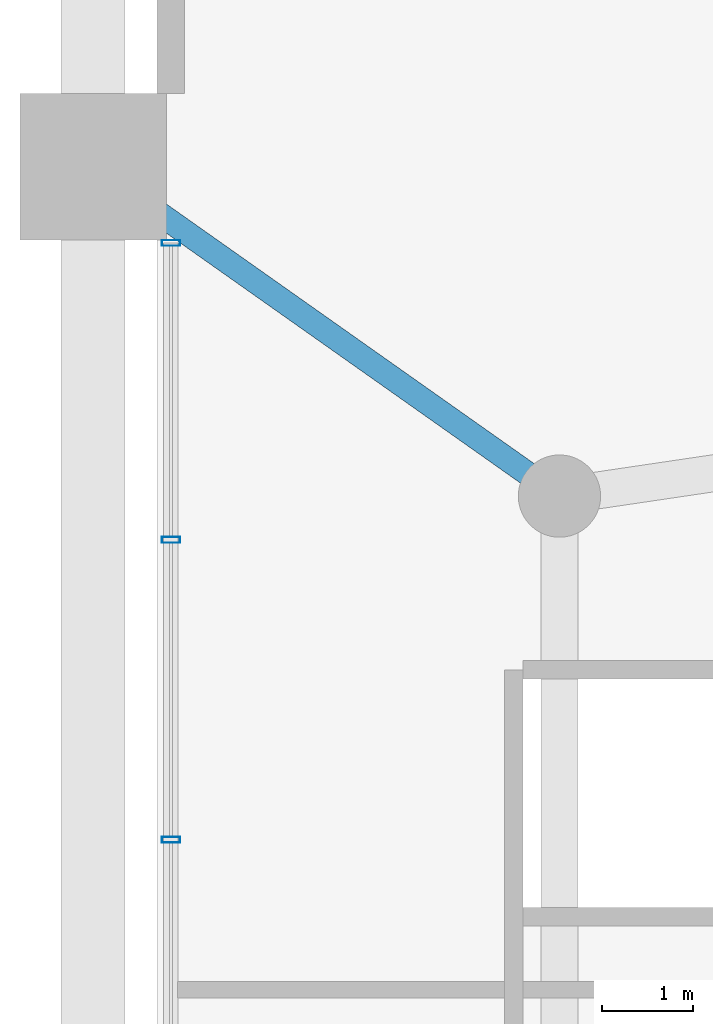
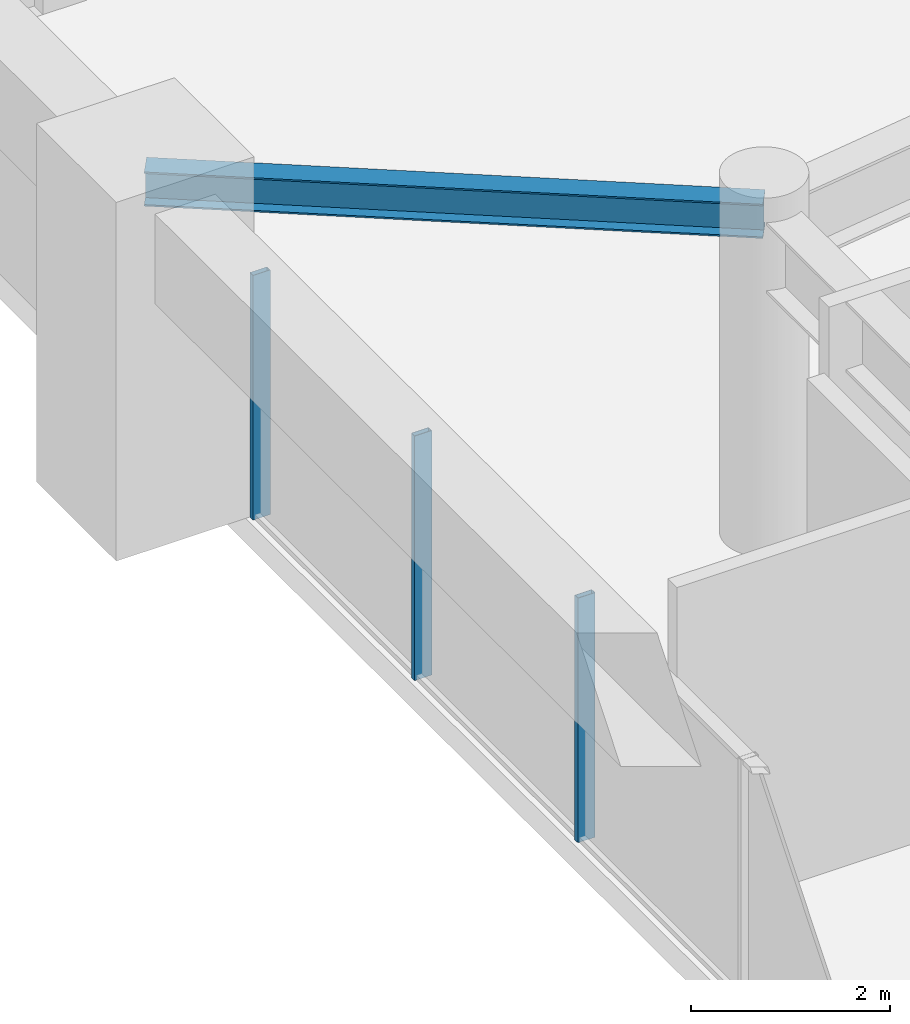
# One storey, part 6 of 22: 3 members, 1 beam, 1 element without a shape of its own.
"""IFC4 building model written with IfcOpenShell, lengths in metres."""

from ifc_helpers import new_model, si_unit, direction, frame, origin, origin_2d, place, context, subcontext, project, spatial, hollow_rectangle, i_section, extrude, source, transform, mapped, material, layer, layer_set, material_profile, profile_set, type_object, element, aggregate, save


model = new_model("IFC4")

# Units and contexts
model_context = context("Model", 3, precision=1e-05, world=origin(), true_north=direction((0.0, 1.0)))
body_context = subcontext(model_context, "Body", "Model", "MODEL_VIEW")
ifc_project = project(units=[si_unit("LENGTHUNIT", "METRE"), si_unit("AREAUNIT", "SQUARE_METRE"), si_unit("VOLUMEUNIT", "CUBIC_METRE"), si_unit("PLANEANGLEUNIT", "RADIAN"), si_unit("MASSUNIT", "GRAM", prefix="KILO")], contexts=[model_context])

# Site, building, storey
site_placement = place(None, origin())
site = spatial("IfcSite", under=ifc_project, at=site_placement, CompositionType="ELEMENT")
building_placement = place(site_placement, origin())
building = spatial("IfcBuilding", under=site, at=building_placement, Name="Veraguas Prism Commons", CompositionType="ELEMENT")
storey_placement = place(building_placement, frame((0.0, 0.0, 5.199951171875)))
storey = spatial("IfcBuildingStorey", under=building, at=storey_placement, Name="L01", CompositionType="ELEMENT", Elevation=5.199951171875)

# Beam
ifc_material_1 = material(Name="Steel ASTM A992 Grade 50", Category="steel")
ifc_material_profile_1 = material_profile(ifc_material_1, i_section(OverallWidth=0.260986328125, OverallDepth=0.419921875, WebThickness=0.01171875, FlangeThickness=0.019287109375, at=origin_2d()), Name="W410X114")
ifc_profile_set_1 = profile_set([ifc_material_profile_1], Name="Steel ASTM A992 Grade 50")
beam_type = type_object("IfcBeamType", Name="Lower Floor Joist W410x114", PredefinedType="JOIST", material=ifc_profile_set_1)
beam_placement = place(storey_placement, frame((6.39990234375, 29.39990234375, 3.89013671875), z_axis=(-0.816952688962, 0.576704693927, 0.0), x_axis=(-0.576704693927, -0.816952688962, 0.0)))
element("IfcBeam", 1, at=beam_placement, inside=storey, type_object=beam_type, Name="Podium Tie Beam L01-TMT05", PredefinedType="JOIST", context=body_context, shape_type="SweptSolid", body=[
    extrude(i_section(OverallWidth=0.260986328125, OverallDepth=0.419921875, WebThickness=0.01171875, FlangeThickness=0.019287109375, at=origin_2d()), origin(), (0.0, 0.0, 1.0), 6.242431640625),
])

# Curtain wall, members
ifc_material_2 = material(Name="Anodised aluminium EN AW-6063 T6", Category="aluminium")
ifc_layer = layer(ifc_material_2, 0.199951171875, Name="Metro Concourse Structural Glazing", Category="aluminium")
ifc_layer_set = layer_set([ifc_layer], Name="Anodised aluminium EN AW-6063 T6")
curtain_wall_type = type_object("IfcCurtainWallType", Name="Metro Concourse Structural Glazing", PredefinedType="NOTDEFINED", material=ifc_layer_set)
curtain_wall_placement = place(storey_placement, origin())
curtain_wall = element("IfcCurtainWall", 2, at=curtain_wall_placement, inside=storey, type_object=curtain_wall_type, Name="Via Espana Metro Concourse Curtain Wall L01-W02", PredefinedType="NOTDEFINED")
ifc_material_profile_2 = material_profile(ifc_material_2, hollow_rectangle(XDim=0.06494140625, YDim=0.199951171875, WallThickness=0.00390625, at=origin_2d()), Name="AL65X200X4")
ifc_profile_set_2 = profile_set([ifc_material_profile_2], Name="Anodised aluminium EN AW-6063 T6")
member_type = type_object("IfcMemberType", Name="Curtain Wall Mullion Heavy AL 65x200x4", PredefinedType="MULLION", material=ifc_profile_set_2)
shared_shape = source(origin(), body_context, "Body", "SweptSolid", [
    extrude(hollow_rectangle(XDim=0.06494140625, YDim=0.199951171875, WallThickness=0.00390625, at=origin_2d()), origin(), (0.0, 0.0, 1.0), 3.0),
])
member_1_placement = place(storey_placement, frame((2.14990234375, 32.16748046875, 0.0), z_axis=(0.0, 0.0, 1.0), x_axis=(0.0, -1.0, 0.0)))
member_1 = element("IfcMember", 3, at=member_1_placement, type_object=member_type, Name="CW-STN Mullion 1", PredefinedType="MULLION", context=body_context, shape_type="MappedRepresentation", body=[
    mapped(shared_shape, transform((0.0, 0.0, 0.0), scale=1.0)),
])
member_2_placement = place(storey_placement, frame((2.14990234375, 28.919921875, 0.0), z_axis=(0.0, 0.0, 1.0), x_axis=(0.0, -1.0, 0.0)))
member_2 = element("IfcMember", 4, at=member_2_placement, type_object=member_type, Name="CW-STN Mullion 2", PredefinedType="MULLION", context=body_context, shape_type="MappedRepresentation", body=[
    mapped(shared_shape, transform((0.0, 0.0, 0.0), scale=1.0)),
])
member_3_placement = place(storey_placement, frame((2.14990234375, 25.639892578125, 0.0), z_axis=(0.0, 0.0, 1.0), x_axis=(0.0, -1.0, 0.0)))
member_3 = element("IfcMember", 5, at=member_3_placement, type_object=member_type, Name="CW-STN Mullion 3", PredefinedType="MULLION", context=body_context, shape_type="MappedRepresentation", body=[
    mapped(shared_shape, transform((0.0, 0.0, 0.0), scale=1.0)),
])
aggregate(curtain_wall, [member_1, member_2, member_3])

save(model, "model.ifc")
